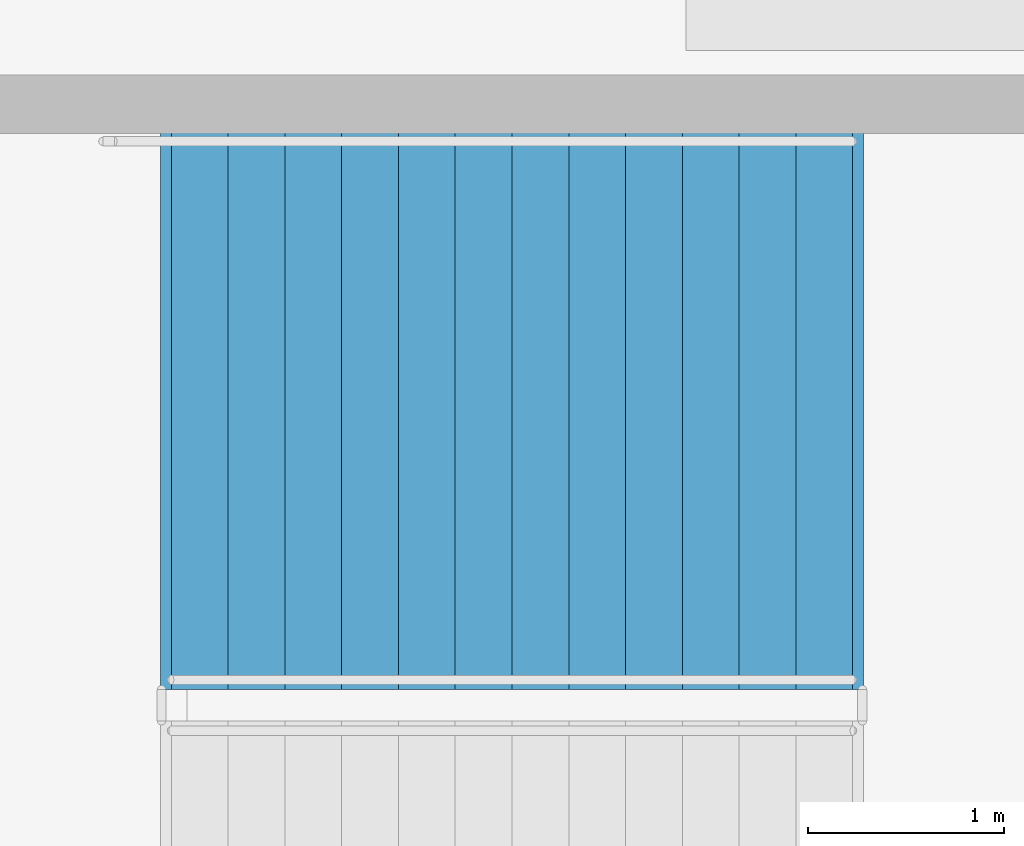
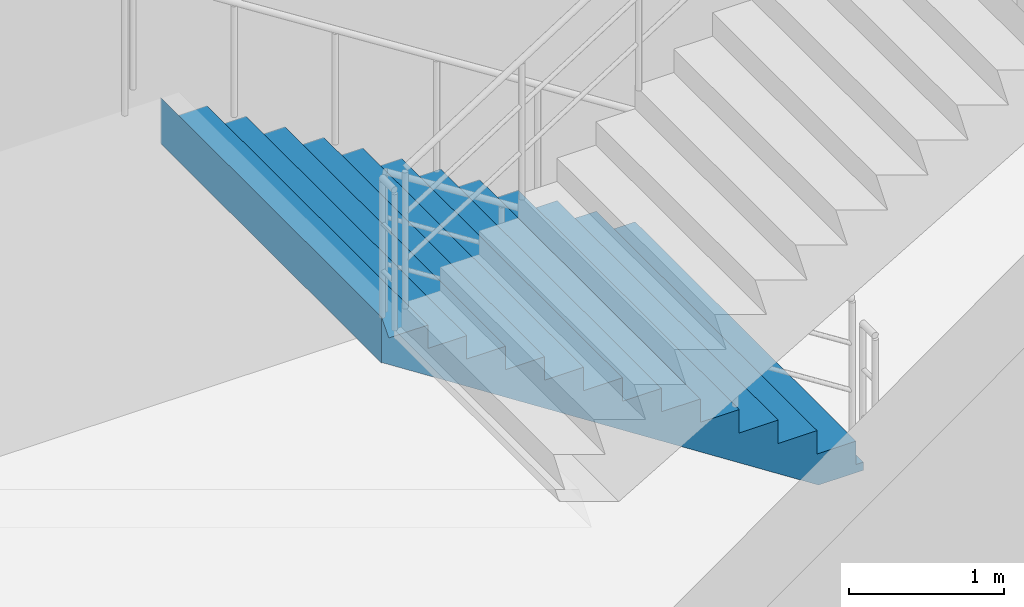
# One storey, part 57 of 68: 1 stair flight, 1 element without a shape of its own.
"""IFC4 building model written with IfcOpenShell, lengths in metres."""

from ifc_helpers import new_model, si_unit, direction, frame, origin, place, context, subcontext, project, spatial, polyline, outline, extrude, material, type_object, element, aggregate, save


model = new_model("IFC4")

# Units and contexts
model_context = context("Model", 3, precision=1e-05, world=origin(), true_north=direction((0.0, 1.0)))
body_context = subcontext(model_context, "Body", "Model", "MODEL_VIEW")
ifc_project = project(units=[si_unit("LENGTHUNIT", "METRE"), si_unit("AREAUNIT", "SQUARE_METRE"), si_unit("VOLUMEUNIT", "CUBIC_METRE"), si_unit("PLANEANGLEUNIT", "RADIAN"), si_unit("MASSUNIT", "GRAM", prefix="KILO")], contexts=[model_context])

# Site, building, storey
site_placement = place(None, origin())
site = spatial("IfcSite", under=ifc_project, at=site_placement, CompositionType="ELEMENT")
building_placement = place(site_placement, origin())
building = spatial("IfcBuilding", under=site, at=building_placement, Name="Cinderbank Siding Concert Hall", CompositionType="ELEMENT")
storey_placement = place(building_placement, frame((0.0, 0.0, -4.800048828125)))
storey = spatial("IfcBuildingStorey", under=building, at=storey_placement, Name="B1", CompositionType="ELEMENT", Elevation=-4.800048828125)

# Stair, stair flight
ifc_material = material(Name="Reinforced concrete AS 3600 N50 (50 MPa)", Category="concrete")
stair_type = type_object("IfcStairType", Name="STR-J Dogleg Exit Stair 2850mm", PredefinedType="HALF_TURN_STAIR", material=ifc_material)
stair_placement = place(storey_placement, origin())
stair = element("IfcStair", 1, at=stair_placement, inside=storey, type_object=stair_type, Name="B1 East Link South Exit Stair ST-12", PredefinedType="HALF_TURN_STAIR")
stair_flight_type = type_object("IfcStairFlightType", Name="SFL-J Concrete Stair Flight 2850mm", PredefinedType="STRAIGHT", material=ifc_material)
stair_flight_placement = place(storey_placement, frame((160.85009765625, 63.284912109375, 0.0), z_axis=(0.0, 0.0, 1.0), x_axis=(-1.0, 0.0, 0.0)))
stair_flight = element("IfcStairFlight", 2, at=stair_flight_placement, type_object=stair_flight_type, Name="ST-12 flight 1", NumberOfRisers=13, NumberOfTreads=12, PredefinedType="STRAIGHT", RiserHeight=0.184615385, TreadLength=0.29, context=body_context, shape_type="SweptSolid", body=[
    extrude(outline(polyline([(0.0, 0.0), (0.0, 0.1845703125), (0.2900390625, 0.1845703125), (0.2900390625, 0.369140625), (0.580078125, 0.369140625), (0.580078125, 0.553955078125), (0.8701171875, 0.553955078125), (0.8701171875, 0.738525390625), (1.159912109375, 0.738525390625), (1.159912109375, 0.923095703125), (1.449951171875, 0.923095703125), (1.449951171875, 1.107666015625), (1.739990234375, 1.107666015625), (1.739990234375, 1.292236328125), (2.030029296875, 1.292236328125), (2.030029296875, 1.476806640625), (2.320068359375, 1.476806640625), (2.320068359375, 1.66162109375), (2.610107421875, 1.66162109375), (2.610107421875, 1.84619140625), (2.89990234375, 1.84619140625), (2.89990234375, 2.03076171875), (3.18994140625, 2.03076171875), (3.18994140625, 2.21533203125), (3.47998046875, 2.21533203125), (3.534912109375, 2.39990234375), (3.534912109375, 2.03759765625), (3.53466796875, 2.037841796875), (3.53466796875, 2.0380859375), (3.53466796875, 2.038330078125), (3.53466796875, 2.03857421875), (3.53466796875, 2.038818359375), (3.53466796875, 2.0390625), (3.53466796875, 2.039306640625), (3.53466796875, 2.03955078125), (3.53466796875, 2.039794921875), (3.53466796875, 2.0400390625), (3.53466796875, 2.040283203125), (3.53466796875, 2.04052734375), (3.534423828125, 2.04052734375), (3.534423828125, 2.040283203125), (3.534423828125, 2.0400390625), (3.534423828125, 2.039794921875), (3.534423828125, 2.03955078125), (3.534423828125, 2.039306640625), (3.534423828125, 2.0390625), (3.534423828125, 2.038818359375), (3.534423828125, 2.03857421875), (3.534423828125, 2.038330078125), (3.534423828125, 2.0380859375), (3.534423828125, 2.037841796875), (3.534423828125, 2.03759765625), (3.5341796875, 2.037841796875), (3.5341796875, 2.0380859375), (3.5341796875, 2.038330078125), (3.5341796875, 2.03857421875), (3.5341796875, 2.038818359375), (3.5341796875, 2.0390625), (3.5341796875, 2.039306640625), (3.5341796875, 2.03955078125), (3.5341796875, 2.039794921875), (3.5341796875, 2.0400390625), (3.5341796875, 2.040283203125), (3.5341796875, 2.04052734375), (3.533935546875, 2.04052734375), (3.533935546875, 2.040283203125), (3.533935546875, 2.0400390625), (3.533935546875, 2.039794921875), (3.533935546875, 2.03955078125), (3.533935546875, 2.039306640625), (3.533935546875, 2.0390625), (3.533935546875, 2.038818359375), (3.533935546875, 2.03857421875), (3.533935546875, 2.038330078125), (3.533935546875, 2.0380859375), (3.533935546875, 2.037841796875), (3.533935546875, 2.03759765625), (3.53369140625, 2.037841796875), (3.53369140625, 2.0380859375), (3.53369140625, 2.038330078125), (3.53369140625, 2.03857421875), (3.53369140625, 2.038818359375), (3.53369140625, 2.0390625), (3.53369140625, 2.039306640625), (3.53369140625, 2.03955078125), (3.53369140625, 2.039794921875), (3.53369140625, 2.0400390625), (3.53369140625, 2.040283203125), (3.53369140625, 2.04052734375), (3.533447265625, 2.04052734375), (3.533447265625, 2.040283203125), (3.533447265625, 2.0400390625), (3.533447265625, 2.039794921875), (3.533447265625, 2.03955078125), (3.533447265625, 2.039306640625), (3.533447265625, 2.0390625), (3.533447265625, 2.038818359375), (3.533447265625, 2.03857421875), (3.533447265625, 2.038330078125), (3.533447265625, 2.0380859375), (3.533447265625, 2.037841796875), (3.533447265625, 2.03759765625), (3.533203125, 2.037841796875), (3.533203125, 2.0380859375), (3.533203125, 2.038330078125), (3.533203125, 2.03857421875), (3.533203125, 2.038818359375), (3.533203125, 2.0390625), (3.533203125, 2.039306640625), (3.533203125, 2.03955078125), (3.533203125, 2.039794921875), (3.533203125, 2.0400390625), (3.533203125, 2.040283203125), (3.533203125, 2.04052734375), (3.532958984375, 2.04052734375), (3.532958984375, 2.040283203125), (3.532958984375, 2.0400390625), (3.532958984375, 2.039794921875), (3.532958984375, 2.03955078125), (3.532958984375, 2.039306640625), (3.532958984375, 2.0390625), (3.532958984375, 2.038818359375), (3.532958984375, 2.03857421875), (3.532958984375, 2.038330078125), (3.532958984375, 2.0380859375), (3.532958984375, 2.037841796875), (3.532958984375, 2.03759765625), (3.53271484375, 2.037841796875), (3.53271484375, 2.0380859375), (3.53271484375, 2.038330078125), (3.53271484375, 2.03857421875), (3.53271484375, 2.038818359375), (3.53271484375, 2.0390625), (3.53271484375, 2.039306640625), (3.53271484375, 2.03955078125), (3.53271484375, 2.039794921875), (3.53271484375, 2.0400390625), (3.53271484375, 2.040283203125), (3.53271484375, 2.04052734375), (3.532470703125, 2.04052734375), (3.532470703125, 2.040283203125), (3.532470703125, 2.0400390625), (3.532470703125, 2.039794921875), (3.532470703125, 2.03955078125), (3.532470703125, 2.039306640625), (3.532470703125, 2.0390625), (3.532470703125, 2.038818359375), (3.532470703125, 2.03857421875), (3.532470703125, 2.038330078125), (3.532470703125, 2.0380859375), (3.532470703125, 2.037841796875), (3.532470703125, 2.03759765625), (3.5322265625, 2.037841796875), (3.5322265625, 2.0380859375), (3.5322265625, 2.038330078125), (3.5322265625, 2.03857421875), (3.5322265625, 2.038818359375), (3.5322265625, 2.0390625), (3.5322265625, 2.039306640625), (3.5322265625, 2.03955078125), (3.5322265625, 2.039794921875), (3.5322265625, 2.0400390625), (3.5322265625, 2.040283203125), (3.5322265625, 2.04052734375), (3.531982421875, 2.04052734375), (3.531982421875, 2.040283203125), (3.531982421875, 2.0400390625), (3.531982421875, 2.039794921875), (3.531982421875, 2.03955078125), (3.531982421875, 2.039306640625), (3.531982421875, 2.0390625), (3.531982421875, 2.038818359375), (3.531982421875, 2.03857421875), (3.531982421875, 2.038330078125), (3.531982421875, 2.0380859375), (3.531982421875, 2.037841796875), (3.531982421875, 2.03759765625), (3.53173828125, 2.037841796875), (3.53173828125, 2.0380859375), (3.53173828125, 2.038330078125), (3.53173828125, 2.03857421875), (3.53173828125, 2.038818359375), (3.53173828125, 2.0390625), (3.53173828125, 2.039306640625), (3.53173828125, 2.03955078125), (3.53173828125, 2.039794921875), (3.53173828125, 2.0400390625), (3.53173828125, 2.040283203125), (3.53173828125, 2.04052734375), (3.531494140625, 2.04052734375), (3.531494140625, 2.040283203125), (3.531494140625, 2.0400390625), (3.531494140625, 2.039794921875), (3.531494140625, 2.03955078125), (3.531494140625, 2.039306640625), (3.531494140625, 2.0390625), (3.531494140625, 2.038818359375), (3.531494140625, 2.03857421875), (3.531494140625, 2.038330078125), (3.531494140625, 2.0380859375), (3.531494140625, 2.037841796875), (3.531494140625, 2.03759765625), (3.53125, 2.037841796875), (3.53125, 2.0380859375), (3.53125, 2.038330078125), (3.53125, 2.03857421875), (3.53125, 2.038818359375), (3.53125, 2.0390625), (3.53125, 2.039306640625), (3.53125, 2.03955078125), (3.53125, 2.039794921875), (3.53125, 2.0400390625), (3.53125, 2.040283203125), (3.53125, 2.04052734375), (3.531005859375, 2.04052734375), (3.531005859375, 2.040283203125), (3.531005859375, 2.0400390625), (3.531005859375, 2.039794921875), (3.531005859375, 2.03955078125), (3.531005859375, 2.039306640625), (3.531005859375, 2.0390625), (3.531005859375, 2.038818359375), (3.531005859375, 2.03857421875), (3.531005859375, 2.038330078125), (3.531005859375, 2.0380859375), (3.531005859375, 2.037841796875), (3.531005859375, 2.03759765625), (3.53076171875, 2.037841796875), (3.53076171875, 2.0380859375), (3.53076171875, 2.038330078125), (3.53076171875, 2.03857421875), (3.53076171875, 2.038818359375), (3.53076171875, 2.0390625), (3.53076171875, 2.039306640625), (3.53076171875, 2.03955078125), (3.53076171875, 2.039794921875), (3.53076171875, 2.0400390625), (3.53076171875, 2.040283203125), (3.53076171875, 2.04052734375), (3.530517578125, 2.04052734375), (3.530517578125, 2.040283203125), (3.530517578125, 2.0400390625), (3.530517578125, 2.039794921875), (3.530517578125, 2.03955078125), (3.530517578125, 2.039306640625), (3.530517578125, 2.0390625), (3.530517578125, 2.038818359375), (3.530517578125, 2.03857421875), (3.530517578125, 2.038330078125), (3.530517578125, 2.0380859375), (3.530517578125, 2.037841796875), (3.530517578125, 2.03759765625), (3.5302734375, 2.037841796875), (3.5302734375, 2.0380859375), (3.5302734375, 2.038330078125), (3.5302734375, 2.03857421875), (3.5302734375, 2.038818359375), (3.5302734375, 2.0390625), (3.5302734375, 2.039306640625), (3.5302734375, 2.03955078125), (3.5302734375, 2.039794921875), (3.5302734375, 2.0400390625), (3.5302734375, 2.040283203125), (3.5302734375, 2.04052734375), (3.530029296875, 2.04052734375), (3.530029296875, 2.040283203125), (3.530029296875, 2.0400390625), (3.530029296875, 2.039794921875), (3.530029296875, 2.03955078125), (3.530029296875, 2.039306640625), (3.530029296875, 2.0390625), (3.530029296875, 2.038818359375), (3.530029296875, 2.03857421875), (3.530029296875, 2.038330078125), (3.530029296875, 2.0380859375), (3.530029296875, 2.037841796875), (3.530029296875, 2.03759765625), (3.52978515625, 2.037841796875), (3.52978515625, 2.0380859375), (3.52978515625, 2.038330078125), (3.52978515625, 2.03857421875), (3.52978515625, 2.038818359375), (3.52978515625, 2.0390625), (3.52978515625, 2.039306640625), (3.52978515625, 2.03955078125), (3.52978515625, 2.039794921875), (3.52978515625, 2.0400390625), (3.52978515625, 2.040283203125), (3.52978515625, 2.04052734375), (3.529541015625, 2.04052734375), (3.529541015625, 2.040283203125), (3.529541015625, 2.0400390625), (3.529541015625, 2.039794921875), (3.529541015625, 2.03955078125), (3.529541015625, 2.039306640625), (3.529541015625, 2.0390625), (3.529541015625, 2.038818359375), (3.529541015625, 2.03857421875), (3.529541015625, 2.038330078125), (3.529541015625, 2.0380859375), (3.529541015625, 2.037841796875), (3.529541015625, 2.03759765625), (3.529296875, 2.037841796875), (3.529296875, 2.0380859375), (3.529296875, 2.038330078125), (3.529296875, 2.03857421875), (3.529296875, 2.038818359375), (3.529296875, 2.0390625), (3.529296875, 2.039306640625), (3.529296875, 2.03955078125), (3.529296875, 2.039794921875), (3.529296875, 2.0400390625), (3.529296875, 2.040283203125), (3.529296875, 2.04052734375), (3.529052734375, 2.04052734375), (3.529052734375, 2.040283203125), (3.529052734375, 2.0400390625), (3.529052734375, 2.039794921875), (3.529052734375, 2.03955078125), (3.529052734375, 2.039306640625), (3.529052734375, 2.0390625), (3.529052734375, 2.038818359375), (3.529052734375, 2.03857421875), (3.529052734375, 2.038330078125), (3.529052734375, 2.0380859375), (3.529052734375, 2.037841796875), (3.529052734375, 2.03759765625), (3.52880859375, 2.037841796875), (3.52880859375, 2.0380859375), (3.52880859375, 2.038330078125), (3.52880859375, 2.03857421875), (3.52880859375, 2.038818359375), (3.52880859375, 2.0390625), (3.52880859375, 2.039306640625), (3.52880859375, 2.03955078125), (3.52880859375, 2.039794921875), (3.52880859375, 2.0400390625), (3.52880859375, 2.040283203125), (3.52880859375, 2.04052734375), (3.528564453125, 2.04052734375), (3.528564453125, 2.040283203125), (3.528564453125, 2.0400390625), (3.528564453125, 2.039794921875), (3.528564453125, 2.03955078125), (3.528564453125, 2.039306640625), (3.528564453125, 2.0390625), (3.528564453125, 2.038818359375), (3.528564453125, 2.03857421875), (3.528564453125, 2.038330078125), (3.528564453125, 2.0380859375), (3.528564453125, 2.037841796875), (3.528564453125, 2.03759765625), (0.279052734375, -0.06396484375), (-0.048583984375, -0.063720703125), (-0.048583984375, -0.0634765625), (-0.048583984375, -0.063232421875), (-0.048583984375, -0.06298828125), (-0.048583984375, -0.062744140625), (-0.048583984375, -0.0625), (-0.048583984375, -0.062255859375), (-0.048583984375, -0.06201171875), (-0.048583984375, -0.061767578125), (-0.048583984375, -0.0615234375), (-0.048583984375, -0.061279296875), (-0.048583984375, -0.06103515625), (-0.048828125, -0.06103515625), (-0.048828125, -0.061279296875), (-0.048828125, -0.0615234375), (-0.048828125, -0.061767578125), (-0.048828125, -0.06201171875), (-0.048828125, -0.062255859375), (-0.048828125, -0.0625), (-0.048828125, -0.062744140625), (-0.048828125, -0.06298828125), (-0.048828125, -0.063232421875), (-0.048828125, -0.0634765625), (-0.048828125, -0.063720703125), (-0.048828125, -0.06396484375), (-0.049072265625, -0.063720703125), (-0.049072265625, -0.0634765625), (-0.049072265625, -0.063232421875), (-0.049072265625, -0.06298828125), (-0.049072265625, -0.062744140625), (-0.049072265625, -0.0625), (-0.049072265625, -0.062255859375), (-0.049072265625, -0.06201171875), (-0.049072265625, -0.061767578125), (-0.049072265625, -0.0615234375), (-0.049072265625, -0.061279296875), (-0.049072265625, -0.06103515625), (-0.04931640625, -0.06103515625), (-0.04931640625, -0.061279296875), (-0.04931640625, -0.0615234375), (-0.04931640625, -0.061767578125), (-0.04931640625, -0.06201171875), (-0.04931640625, -0.062255859375), (-0.04931640625, -0.0625), (-0.04931640625, -0.062744140625), (-0.04931640625, -0.06298828125), (-0.04931640625, -0.063232421875), (-0.04931640625, -0.0634765625), (-0.04931640625, -0.063720703125), (-0.04931640625, -0.06396484375), (-0.049560546875, -0.063720703125), (-0.049560546875, -0.0634765625), (-0.049560546875, -0.063232421875), (-0.049560546875, -0.06298828125), (-0.049560546875, -0.062744140625), (-0.049560546875, -0.0625), (-0.049560546875, -0.062255859375), (-0.049560546875, -0.06201171875), (-0.049560546875, -0.061767578125), (-0.049560546875, -0.0615234375), (-0.049560546875, -0.061279296875), (-0.049560546875, -0.06103515625), (-0.0498046875, -0.06103515625), (-0.0498046875, -0.061279296875), (-0.0498046875, -0.0615234375), (-0.0498046875, -0.061767578125), (-0.0498046875, -0.06201171875), (-0.0498046875, -0.062255859375), (-0.0498046875, -0.0625), (-0.0498046875, -0.062744140625), (-0.0498046875, -0.06298828125), (-0.0498046875, -0.063232421875), (-0.0498046875, -0.0634765625), (-0.0498046875, -0.063720703125), (-0.0498046875, -0.06396484375), (-0.050048828125, -0.063720703125), (-0.050048828125, -0.0634765625), (-0.050048828125, -0.063232421875), (-0.050048828125, -0.06298828125), (-0.050048828125, -0.062744140625), (-0.050048828125, -0.0625), (-0.050048828125, -0.062255859375), (-0.050048828125, -0.06201171875), (-0.050048828125, -0.061767578125), (-0.050048828125, -0.0615234375), (-0.050048828125, -0.061279296875), (-0.050048828125, -0.06103515625), (-0.05029296875, -0.06103515625), (-0.05029296875, -0.061279296875), (-0.05029296875, -0.0615234375), (-0.05029296875, -0.061767578125), (-0.05029296875, -0.06201171875), (-0.05029296875, -0.062255859375), (-0.05029296875, -0.0625), (-0.05029296875, -0.062744140625), (-0.05029296875, -0.06298828125), (-0.05029296875, -0.063232421875), (-0.05029296875, -0.0634765625), (-0.05029296875, -0.063720703125), (-0.05029296875, -0.06396484375), (-0.050537109375, -0.063720703125), (-0.050537109375, -0.0634765625), (-0.050537109375, -0.063232421875), (-0.050537109375, -0.06298828125), (-0.050537109375, -0.062744140625), (-0.050537109375, -0.0625), (-0.050537109375, -0.062255859375), (-0.050537109375, -0.06201171875), (-0.050537109375, -0.061767578125), (-0.050537109375, -0.0615234375), (-0.050537109375, -0.061279296875), (-0.050537109375, -0.06103515625), (-0.05078125, -0.06103515625), (-0.05078125, -0.061279296875), (-0.05078125, -0.0615234375), (-0.05078125, -0.061767578125), (-0.05078125, -0.06201171875), (-0.05078125, -0.062255859375), (-0.05078125, -0.0625), (-0.05078125, -0.062744140625), (-0.05078125, -0.06298828125), (-0.05078125, -0.063232421875), (-0.05078125, -0.0634765625), (-0.05078125, -0.063720703125), (-0.05078125, -0.06396484375), (-0.051025390625, -0.063720703125), (-0.051025390625, -0.0634765625), (-0.051025390625, -0.063232421875), (-0.051025390625, -0.06298828125), (-0.051025390625, -0.062744140625), (-0.051025390625, -0.0625), (-0.051025390625, -0.062255859375), (-0.051025390625, -0.06201171875), (-0.051025390625, -0.061767578125), (-0.051025390625, -0.0615234375), (-0.051025390625, -0.061279296875), (-0.051025390625, -0.06103515625), (-0.05126953125, -0.06103515625), (-0.05126953125, -0.061279296875), (-0.05126953125, -0.0615234375), (-0.05126953125, -0.061767578125), (-0.05126953125, -0.06201171875), (-0.05126953125, -0.062255859375), (-0.05126953125, -0.0625), (-0.05126953125, -0.062744140625), (-0.05126953125, -0.06298828125), (-0.05126953125, -0.063232421875), (-0.05126953125, -0.0634765625), (-0.05126953125, -0.063720703125), (-0.05126953125, -0.06396484375), (-0.051513671875, -0.063720703125), (-0.051513671875, -0.0634765625), (-0.051513671875, -0.063232421875), (-0.051513671875, -0.06298828125), (-0.051513671875, -0.062744140625), (-0.051513671875, -0.0625), (-0.051513671875, -0.062255859375), (-0.051513671875, -0.06201171875), (-0.051513671875, -0.061767578125), (-0.051513671875, -0.0615234375), (-0.051513671875, -0.061279296875), (-0.051513671875, -0.06103515625), (-0.0517578125, -0.06103515625), (-0.0517578125, -0.061279296875), (-0.0517578125, -0.0615234375), (-0.0517578125, -0.061767578125), (-0.0517578125, -0.06201171875), (-0.0517578125, -0.062255859375), (-0.0517578125, -0.0625), (-0.0517578125, -0.062744140625), (-0.0517578125, -0.06298828125), (-0.0517578125, -0.063232421875), (-0.0517578125, -0.0634765625), (-0.0517578125, -0.063720703125), (-0.0517578125, -0.06396484375), (-0.052001953125, -0.063720703125), (-0.052001953125, -0.0634765625), (-0.052001953125, -0.063232421875), (-0.052001953125, -0.06298828125), (-0.052001953125, -0.062744140625), (-0.052001953125, -0.0625), (-0.052001953125, -0.062255859375), (-0.052001953125, -0.06201171875), (-0.052001953125, -0.061767578125), (-0.052001953125, -0.0615234375), (-0.052001953125, -0.061279296875), (-0.052001953125, -0.06103515625), (-0.05224609375, -0.06103515625), (-0.05224609375, -0.061279296875), (-0.05224609375, -0.0615234375), (-0.05224609375, -0.061767578125), (-0.05224609375, -0.06201171875), (-0.05224609375, -0.062255859375), (-0.05224609375, -0.0625), (-0.05224609375, -0.062744140625), (-0.05224609375, -0.06298828125), (-0.05224609375, -0.063232421875), (-0.05224609375, -0.0634765625), (-0.05224609375, -0.063720703125), (-0.05224609375, -0.06396484375), (-0.052490234375, -0.063720703125), (-0.052490234375, -0.0634765625), (-0.052490234375, -0.063232421875), (-0.052490234375, -0.06298828125), (-0.052490234375, -0.062744140625), (-0.052490234375, -0.0625), (-0.052490234375, -0.062255859375), (-0.052490234375, -0.06201171875), (-0.052490234375, -0.061767578125), (-0.052490234375, -0.0615234375), (-0.052490234375, -0.061279296875), (-0.052490234375, -0.06103515625), (-0.052734375, -0.06103515625), (-0.052734375, -0.061279296875), (-0.052734375, -0.0615234375), (-0.052734375, -0.061767578125), (-0.052734375, -0.06201171875), (-0.052734375, -0.062255859375), (-0.052734375, -0.0625), (-0.052734375, -0.062744140625), (-0.052734375, -0.06298828125), (-0.052734375, -0.063232421875), (-0.052734375, -0.0634765625), (-0.052734375, -0.063720703125), (-0.052734375, -0.06396484375), (-0.052978515625, -0.063720703125), (-0.052978515625, -0.0634765625), (-0.052978515625, -0.063232421875), (-0.052978515625, -0.06298828125), (-0.052978515625, -0.062744140625), (-0.052978515625, -0.0625), (-0.052978515625, -0.062255859375), (-0.052978515625, -0.06201171875), (-0.052978515625, -0.061767578125), (-0.052978515625, -0.0615234375), (-0.052978515625, -0.061279296875), (-0.052978515625, -0.06103515625), (-0.05322265625, -0.06103515625), (-0.05322265625, -0.061279296875), (-0.05322265625, -0.0615234375), (-0.05322265625, -0.061767578125), (-0.05322265625, -0.06201171875), (-0.05322265625, -0.062255859375), (-0.05322265625, -0.0625), (-0.05322265625, -0.062744140625), (-0.05322265625, -0.06298828125), (-0.05322265625, -0.063232421875), (-0.05322265625, -0.0634765625), (-0.05322265625, -0.063720703125), (-0.05322265625, -0.06396484375), (-0.053466796875, -0.063720703125), (-0.053466796875, -0.0634765625), (-0.053466796875, -0.063232421875), (-0.053466796875, -0.06298828125), (-0.053466796875, -0.062744140625), (-0.053466796875, -0.0625), (-0.053466796875, -0.062255859375), (-0.053466796875, -0.06201171875), (-0.053466796875, -0.061767578125), (-0.053466796875, -0.0615234375), (-0.053466796875, -0.061279296875), (-0.053466796875, -0.06103515625), (-0.0537109375, -0.06103515625), (-0.0537109375, -0.061279296875), (-0.0537109375, -0.0615234375), (-0.0537109375, -0.061767578125), (-0.0537109375, -0.06201171875), (-0.0537109375, -0.062255859375), (-0.0537109375, -0.0625), (-0.0537109375, -0.062744140625), (-0.0537109375, -0.06298828125), (-0.0537109375, -0.063232421875), (-0.0537109375, -0.0634765625), (-0.0537109375, -0.063720703125), (-0.0537109375, -0.06396484375), (-0.053955078125, -0.063720703125), (-0.053955078125, -0.0634765625), (-0.053955078125, -0.063232421875), (-0.053955078125, -0.06298828125), (-0.053955078125, -0.062744140625), (-0.053955078125, -0.0625), (-0.053955078125, -0.062255859375), (-0.053955078125, -0.06201171875), (-0.053955078125, -0.061767578125), (-0.053955078125, -0.0615234375), (-0.053955078125, -0.061279296875), (-0.053955078125, -0.06103515625), (-0.05419921875, -0.06103515625), (-0.05419921875, -0.061279296875), (-0.05419921875, -0.0615234375), (-0.05419921875, -0.061767578125), (-0.05419921875, -0.06201171875), (-0.05419921875, -0.062255859375), (-0.05419921875, -0.0625), (-0.05419921875, -0.062744140625), (-0.05419921875, -0.06298828125), (-0.05419921875, -0.063232421875), (-0.05419921875, -0.0634765625), (-0.05419921875, -0.063720703125), (-0.05419921875, -0.06396484375), (-0.054443359375, -0.063720703125), (-0.054443359375, -0.0634765625), (-0.054443359375, -0.063232421875), (-0.054443359375, -0.06298828125), (-0.054443359375, -0.062744140625), (-0.054443359375, -0.0625), (-0.054443359375, -0.062255859375), (-0.054443359375, -0.06201171875), (-0.054443359375, -0.061767578125), (-0.054443359375, -0.0615234375), (-0.054443359375, -0.061279296875), (-0.054443359375, -0.06103515625), (-0.0546875, -0.06103515625), (-0.0546875, -0.061279296875), (-0.0546875, -0.0615234375), (-0.0546875, -0.061767578125), (-0.0546875, -0.06201171875), (-0.0546875, -0.062255859375), (-0.0546875, -0.0625), (-0.0546875, -0.062744140625), (-0.0546875, -0.06298828125), (-0.0546875, -0.063232421875), (-0.0546875, -0.0634765625), (-0.0546875, -0.063720703125), (-0.0546875, -0.06396484375), (-0.054931640625, -0.06396484375), (-0.054931640625, 0.0), (0.0, 0.0)])), frame((0.0, 1.425048828125, 0.0), z_axis=(0.0, -1.0, 0.0), x_axis=(1.0, 0.0, 0.0)), (0.0, 0.0, 1.0), 2.85009765625),
])
aggregate(stair, [stair_flight])

save(model, "model.ifc")
